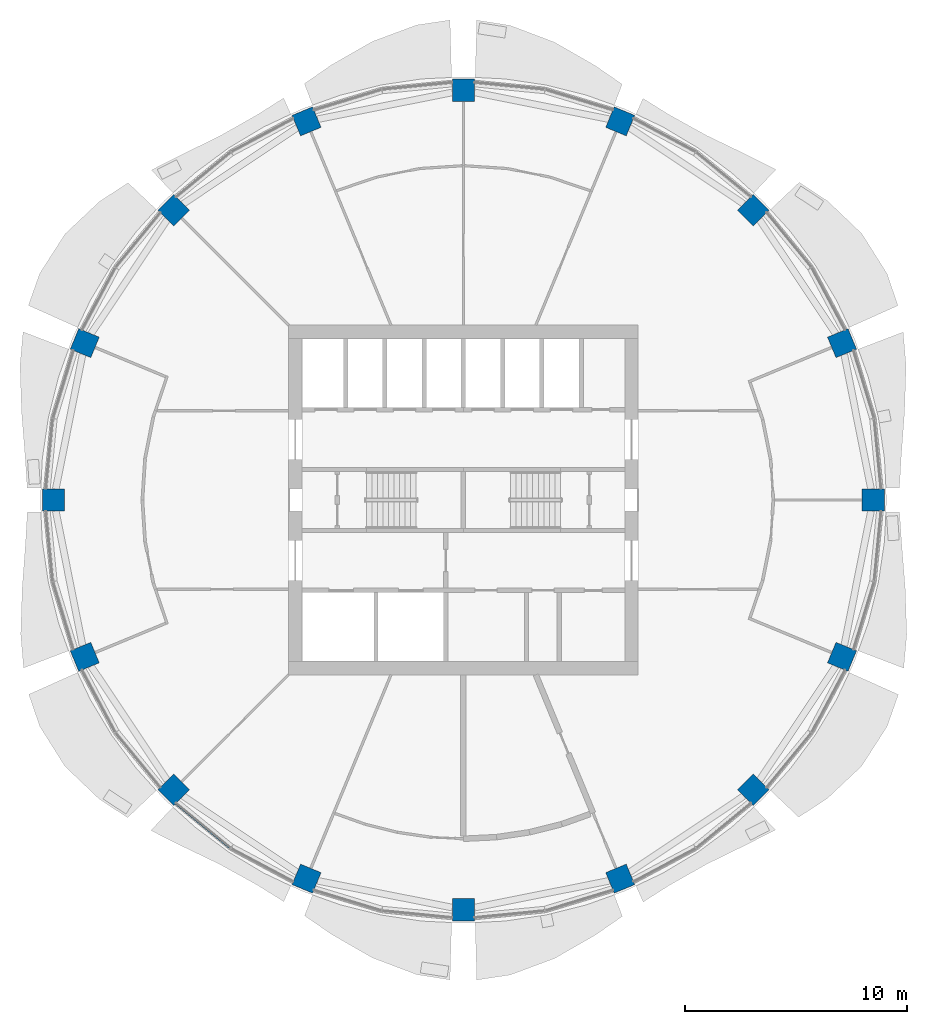
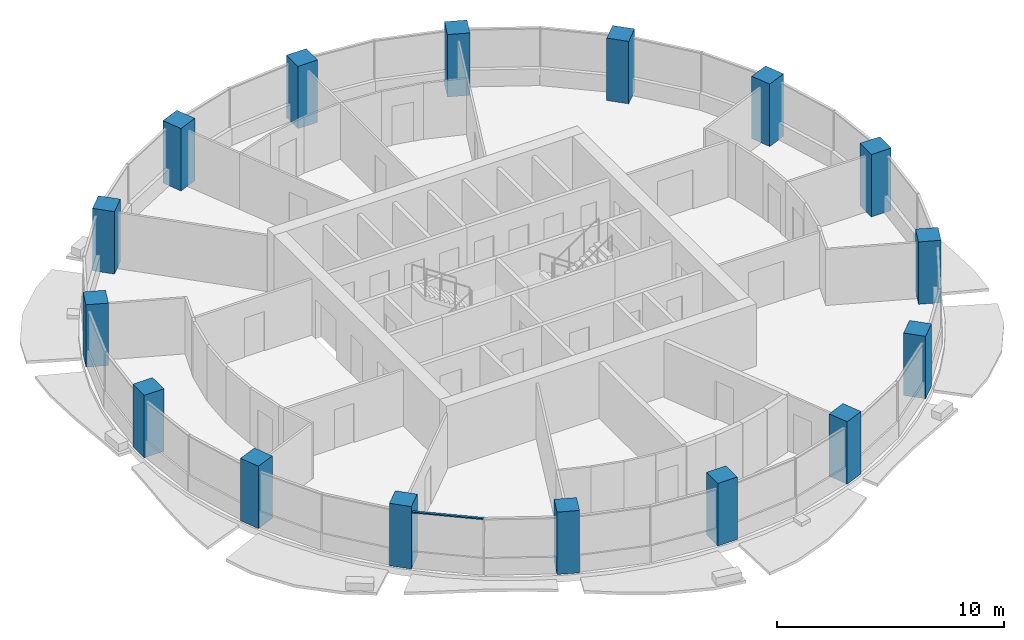
# One storey, part 1 of 15: 16 columns, 1 member, 1 element without a shape of its own.
"""IFC4 building model written with IfcOpenShell, lengths in metres."""

import ifcopenshell
import ifcopenshell.guid

model = None  # the IFC model being written
_history = None  # IfcOwnerHistory: only IFC2X3 demands one
_inside = {}  # id of a spatial element -> (the spatial element, [elements in it])
_under = {}  # id of a project, library or spatial element -> (it, [spatial elements below it])
_declared = {}  # id of a project -> (the project, [libraries it declares])
_typed = {}  # id of a type object -> (the type object, [elements of that type])
_made_of = {}  # id of a material, layer set ... -> (it, [elements and type objects made of it])


def new_model(schema):
    """Start an empty IFC model of exactly this schema.

    Asked for "IFC4X3", IfcOpenShell would pick the latest addendum, in which some entities
    have other attributes; the version numbers below select the first issue.
    IFC2X3 requires an IfcOwnerHistory on every rooted entity: one is made here for all.
    """
    global model, _history
    if schema == "IFC4X3":
        model = ifcopenshell.file(schema_version=(4, 3, 0, 0))
    else:
        model = ifcopenshell.file(schema=schema)
    _inside.clear()
    _under.clear()
    _declared.clear()
    _typed.clear()
    _made_of.clear()
    _history = None
    if model.schema == "IFC2X3":
        org = make("IfcOrganization", Name="unknown")
        user = make(
            "IfcPersonAndOrganization",
            ThePerson=make("IfcPerson", FamilyName="unknown"),
            TheOrganization=org,
        )
        app = make(
            "IfcApplication",
            ApplicationDeveloper=org,
            Version="unknown",
            ApplicationFullName="unknown",
            ApplicationIdentifier="unknown",
        )
        _history = make(
            "IfcOwnerHistory",
            OwningUser=user,
            OwningApplication=app,
            ChangeAction="ADDED",
            CreationDate=0,
        )
    return model


def make(cls, **values):
    """One entity of the class cls with the attributes given. An attribute that is None is left unset."""
    return model.create_entity(
        cls, **{name: value for name, value in values.items() if value is not None}
    )


def rooted(cls, **values):
    """An entity with a GlobalId (a new one), such as an element, a storey or a relation."""
    return make(cls, GlobalId=ifcopenshell.guid.new(), OwnerHistory=_history, **values)


def si_unit(unit_type, name, prefix=None):
    """IfcSIUnit, for example si_unit("LENGTHUNIT", "METRE", prefix="MILLI")."""
    return make("IfcSIUnit", UnitType=unit_type, Prefix=prefix, Name=name)


def assignment(units):
    """IfcUnitAssignment: the units of a project."""
    return None if units is None else make("IfcUnitAssignment", Units=units)


def point(xyz):
    """IfcCartesianPoint."""
    return None if xyz is None else make("IfcCartesianPoint", Coordinates=xyz)


def direction(xyz):
    """IfcDirection."""
    return None if xyz is None else make("IfcDirection", DirectionRatios=xyz)


def frame(location, z_axis=None, x_axis=None):
    """IfcAxis2Placement3D, a coordinate frame: its origin and axes. An axis left out is left unset."""
    return make(
        "IfcAxis2Placement3D",
        Location=point(location),
        Axis=direction(z_axis),
        RefDirection=direction(x_axis),
    )


def frame_2d(location, x_axis=None):
    """IfcAxis2Placement2D, a coordinate frame in the plane: its origin and x axis."""
    return make(
        "IfcAxis2Placement2D", Location=point(location), RefDirection=direction(x_axis)
    )


def origin():
    """The frame at (0, 0, 0) with its axes left unset."""
    return frame((0.0, 0.0, 0.0))


def origin_2d():
    """The frame at (0, 0) in the plane with its x axis left unset."""
    return frame_2d((0.0, 0.0))


def place(relative_to, where):
    """IfcLocalPlacement: puts the frame where relative to a parent placement (None: the world)."""
    return make(
        "IfcLocalPlacement", PlacementRelTo=relative_to, RelativePlacement=where
    )


def context(
    kind, dimensions, precision=None, world=None, true_north=None, identifier=None
):
    """IfcGeometricRepresentationContext, for example the 3D "Model" context."""
    return make(
        "IfcGeometricRepresentationContext",
        ContextIdentifier=identifier,
        ContextType=kind,
        CoordinateSpaceDimension=dimensions,
        Precision=precision,
        WorldCoordinateSystem=world,
        TrueNorth=true_north,
    )


def subcontext(parent, identifier, kind, view, scale=None):
    """IfcGeometricRepresentationSubContext, for example "Body" below "Model"."""
    return make(
        "IfcGeometricRepresentationSubContext",
        ContextIdentifier=identifier,
        ContextType=kind,
        ParentContext=parent,
        TargetScale=scale,
        TargetView=view,
    )


def project(units=None, contexts=None):
    """IfcProject with its units and contexts."""
    return rooted(
        "IfcProject",
        Name="project",
        RepresentationContexts=contexts,
        UnitsInContext=assignment(units),
    )


def spatial(cls, under=None, at=None, **own):
    """A site, building, storey or space (cls), placed at a placement, below another one or the project."""
    s = rooted(cls, ObjectPlacement=at, **own)
    if under is not None:
        _under.setdefault(under.id(), (under, []))[1].append(s)
    return s


def profile(cls, at=None, kind="AREA", **sizes):
    """A parametric profile (cls). Its sizes go by their IFC names, for example OverallWidth=200.0."""
    return make(cls, ProfileType=kind, Position=at, **sizes)


def rectangle(**sizes):
    """IfcRectangleProfileDef."""
    return profile("IfcRectangleProfileDef", **sizes)


def extrude(swept, where, along, depth):
    """IfcExtrudedAreaSolid: the profile swept, set in the frame where, extruded along a direction by depth."""
    return make(
        "IfcExtrudedAreaSolid",
        SweptArea=swept,
        Position=where,
        ExtrudedDirection=direction(along),
        Depth=depth,
    )


def shape(context_of_items, identifier, shape_type, items):
    """IfcShapeRepresentation: the items that make up one representation, for example the "Body"."""
    return make(
        "IfcShapeRepresentation",
        ContextOfItems=context_of_items,
        RepresentationIdentifier=identifier,
        RepresentationType=shape_type,
        Items=items,
    )


def material(Name=None, Category=None):
    """IfcMaterial."""
    return make("IfcMaterial", Name=Name, Category=Category)


def material_profile(
    of_material, cross_section, Name=None, Category=None, Priority=None
):
    """IfcMaterialProfile: a cross section and its material."""
    return make(
        "IfcMaterialProfile",
        Name=Name,
        Material=of_material,
        Profile=cross_section,
        Priority=Priority,
        Category=Category,
    )


def profile_set(profiles, Name=None, composite=None):
    """IfcMaterialProfileSet."""
    return make(
        "IfcMaterialProfileSet",
        Name=Name,
        MaterialProfiles=profiles,
        CompositeProfile=composite,
    )


def made_of(thing, what):
    """Note that an element or type object is made of a material, layer set ...; save() writes the relation."""
    if what is not None:
        _made_of.setdefault(what.id(), (what, []))[1].append(thing)
    return thing


def type_object(cls, material=None, **own):
    """A type object (cls), such as IfcWallType, which elements share."""
    return made_of(rooted(cls, **own), material)


def element(
    cls,
    number,
    at=None,
    inside=None,
    cuts=None,
    type_object=None,
    material=None,
    context=None,
    identifier="Body",
    shape_type=None,
    held_by="IfcProductDefinitionShape",
    body=None,
    shapes=None,
    **own,
):
    """One element of the class cls, such as IfcWall. Its Tag is "e" and its number.

    at: its placement. inside: the storey or other place that contains it. cuts: it is an
    opening in that element (IfcRelVoidsElement). A single representation is given by context,
    identifier, shape_type and body (its items); several are given by shapes. held_by: the class
    of the entity that holds the representations. save() writes the other relations.
    """
    e = rooted(cls, Tag="e%d" % number, ObjectPlacement=at, **own)
    if body is not None:
        shapes = [shape(context, identifier, shape_type, body)]
    if shapes is not None:
        e.Representation = make(held_by, Representations=shapes)
    if inside is not None:
        _inside.setdefault(inside.id(), (inside, []))[1].append(e)
    if cuts is not None:
        rooted(
            "IfcRelVoidsElement", RelatingBuildingElement=cuts, RelatedOpeningElement=e
        )
    if type_object is not None:
        _typed.setdefault(type_object.id(), (type_object, []))[1].append(e)
    return made_of(e, material)


def aggregate(whole, parts):
    """IfcRelAggregates: a whole, such as a stair, and the parts it consists of."""
    return rooted("IfcRelAggregates", RelatingObject=whole, RelatedObjects=parts)


def save(model, path):
    """Write the relations noted so far, then the file.

    IfcRelAggregates (storeys below a building ...), IfcRelContainedInSpatialStructure (elements
    in a storey), IfcRelDefinesByType, IfcRelAssociatesMaterial and IfcRelDeclares: one each for
    every whole, place, type object, material and project.
    """
    for whole, parts in _under.values():
        aggregate(whole, parts)
    for where, things in _inside.values():
        rooted(
            "IfcRelContainedInSpatialStructure",
            RelatedElements=things,
            RelatingStructure=where,
        )
    for kind, things in _typed.values():
        rooted("IfcRelDefinesByType", RelatedObjects=things, RelatingType=kind)
    for what, things in _made_of.values():
        rooted("IfcRelAssociatesMaterial", RelatedObjects=things, RelatingMaterial=what)
    for by, libraries in _declared.values():
        rooted("IfcRelDeclares", RelatingContext=by, RelatedDefinitions=libraries)
    model.write(path)


model = new_model("IFC4")

# Units and contexts
model_context = context("Model", 3, precision=1e-05, world=origin(), true_north=direction((0.0, 1.0)))
body_context = subcontext(model_context, "Body", "Model", "MODEL_VIEW")
ifc_project = project(units=[si_unit("LENGTHUNIT", "METRE"), si_unit("AREAUNIT", "SQUARE_METRE"), si_unit("VOLUMEUNIT", "CUBIC_METRE"), si_unit("PLANEANGLEUNIT", "RADIAN"), si_unit("MASSUNIT", "GRAM", prefix="KILO")], contexts=[model_context])

# Site, building, storey
site_placement = place(None, origin())
site = spatial("IfcSite", under=ifc_project, at=site_placement, CompositionType="ELEMENT")
building_placement = place(site_placement, origin())
building = spatial("IfcBuilding", under=site, at=building_placement, Name="Polderwave Tower", CompositionType="ELEMENT")
storey_placement = place(building_placement, frame((0.0, 0.0, 124.300048828125)))
storey = spatial("IfcBuildingStorey", under=building, at=storey_placement, Name="L32", CompositionType="ELEMENT", Elevation=124.300048828125)

# Columns
ifc_material_1 = material(Name="Concrete C60/75", Category="concrete")
ifc_material_profile_1 = material_profile(ifc_material_1, rectangle(XDim=1.0, YDim=1.0, at=origin_2d()), Name="RC 1000x1000")
ifc_profile_set_1 = profile_set([ifc_material_profile_1], Name="Concrete C60/75")
column_type = type_object("IfcColumnType", Name="RC COLUMN 1000x1000 C60/75", PredefinedType="COLUMN", material=ifc_profile_set_1)
for number, where, z_axis, x_axis, name in (
    (1, (18.4599609375, 0.0, 0.0), (0.0, 0.0, 1.0), (1.0, 0.0, 0.0), "Ring column 01"),
    (2, (17.054931640625, 7.064453125, 0.0), (0.0, 0.0, 1.0), (0.923879532511, 0.382683432365, 0.0), "Ring column 02"),
    (3, (13.05322265625, 13.05322265625, 0.0), (0.0, 0.0, 1.0), (0.707106781187, 0.707106781187, 0.0), "Ring column 03"),
    (4, (7.064453125, 17.054931640625, 0.0), (0.0, 0.0, 1.0), (0.382683432365, 0.923879532511, 0.0), "Ring column 04"),
    (5, (0.0, 18.4599609375, 0.0), (0.0, 0.0, 1.0), (0.0, 1.0, 0.0), "Ring column 05"),
    (6, (-7.064453125, 17.054931640625, 0.0), (0.0, 0.0, 1.0), (-0.382683432365, 0.923879532511, 0.0), "Ring column 06"),
    (7, (-13.05322265625, 13.05322265625, 0.0), (0.0, 0.0, 1.0), (-0.707106781187, 0.707106781187, 0.0), "Ring column 07"),
    (8, (-17.054931640625, 7.064453125, 0.0), (0.0, 0.0, 1.0), (-0.923879532511, 0.382683432365, 0.0), "Ring column 08"),
    (9, (-18.4599609375, 0.0, 0.0), (0.0, 0.0, 1.0), (-1.0, 0.0, 0.0), "Ring column 09"),
    (10, (-17.054931640625, -7.064453125, 0.0), (0.0, 0.0, 1.0), (-0.923879532511, -0.382683432365, 0.0), "Ring column 10"),
    (11, (-13.05322265625, -13.05322265625, 0.0), (0.0, 0.0, 1.0), (-0.707106781187, -0.707106781187, 0.0), "Ring column 11"),
    (12, (-7.064453125, -17.054931640625, 0.0), (0.0, 0.0, 1.0), (-0.382683432365, -0.923879532511, 0.0), "Ring column 12"),
    (13, (0.0, -18.4599609375, 0.0), (0.0, 0.0, 1.0), (0.0, -1.0, 0.0), "Ring column 13"),
    (14, (7.064453125, -17.054931640625, 0.0), (0.0, 0.0, 1.0), (0.382683432365, -0.923879532511, 0.0), "Ring column 14"),
    (15, (13.05322265625, -13.05322265625, 0.0), (0.0, 0.0, 1.0), (0.707106781187, -0.707106781187, 0.0), "Ring column 15"),
    (16, (17.054931640625, -7.064453125, 0.0), (0.0, 0.0, 1.0), (0.923879532511, -0.382683432365, 0.0), "Ring column 16"),
):
    element("IfcColumn", number, at=place(storey_placement, frame(where, z_axis=z_axis, x_axis=x_axis)), inside=storey, type_object=column_type, Name=name, PredefinedType="COLUMN", context=body_context, shape_type="SweptSolid", body=[
        extrude(rectangle(XDim=1.0, YDim=1.0, at=origin_2d()), origin(), (0.0, 0.0, 1.0), 3.349853515625),
    ])

# Curtain wall, member
ifc_material_2 = material(Name="Aluminium 6063-T6 and glass", Category="aluminium")
curtain_wall_type = type_object("IfcCurtainWallType", Name="Office ribbon glazing wall", PredefinedType="NOTDEFINED", material=ifc_material_2)
curtain_wall_placement = place(storey_placement, origin())
curtain_wall = element("IfcCurtainWall", 17, at=curtain_wall_placement, inside=storey, type_object=curtain_wall_type, Name="CW3 L32 10", PredefinedType="NOTDEFINED")
ifc_material_3 = material(Name="Aluminium 6063-T6", Category="aluminium")
ifc_material_profile_2 = material_profile(ifc_material_3, rectangle(XDim=0.1201171875, YDim=0.06005859375, at=origin_2d()), Name="AL 60x120")
ifc_profile_set_2 = profile_set([ifc_material_profile_2], Name="Aluminium 6063-T6")
member_type = type_object("IfcMemberType", Name="Office ribbon glazing transom 60x120", PredefinedType="USERDEFINED", material=ifc_profile_set_2)
member_placement = place(storey_placement, frame((-12.947998046875, -13.655029296875, 2.969970703125), z_axis=(0.773025883871, -0.634374481569, 0.0), x_axis=(0.634374481569, 0.773025883871, 0.0)))
member = element("IfcMember", 18, at=member_placement, type_object=member_type, Name="CW3 transom 1", ObjectType="TRANSOM", PredefinedType="USERDEFINED", context=body_context, shape_type="SweptSolid", body=[
    extrude(rectangle(XDim=0.1201171875, YDim=0.06005859375, at=origin_2d()), origin(), (0.0, 0.0, 1.0), 3.167724609375),
])
aggregate(curtain_wall, [member])

save(model, "model.ifc")
